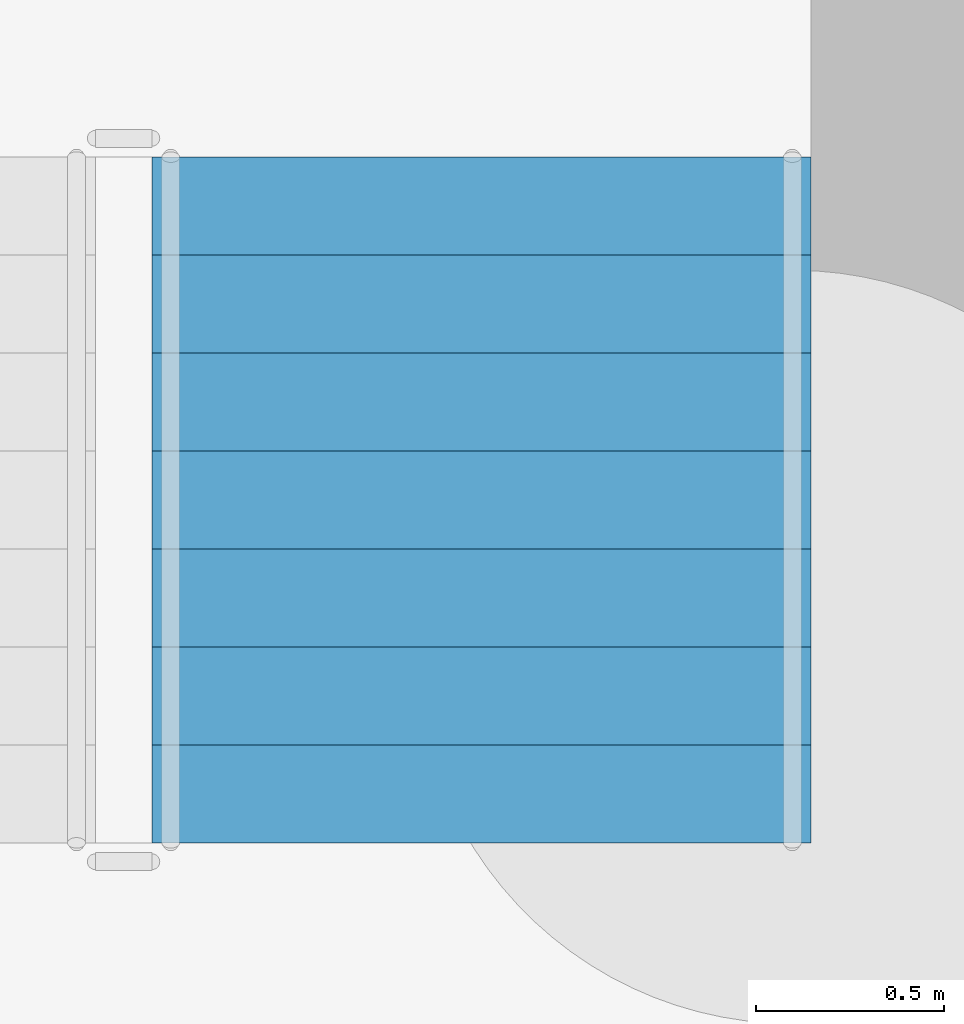
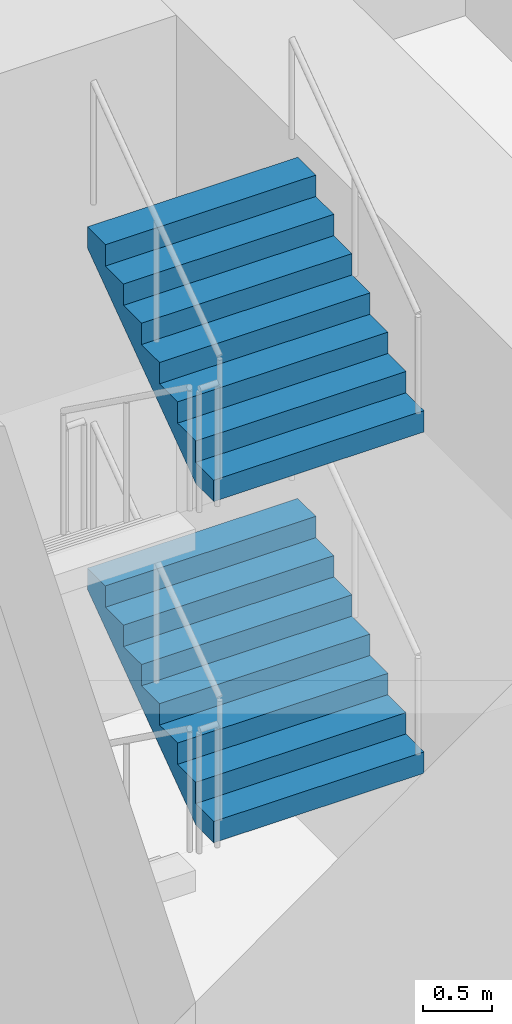
# One storey, part 52 of 75: 2 stair flights, 1 element without a shape of its own.
"""IFC4 building model written with IfcOpenShell, lengths in metres."""

from ifc_helpers import new_model, si_unit, direction, frame, origin, place, context, subcontext, project, spatial, faceted_brep, material, type_object, element, aggregate, save


model = new_model("IFC4")

# Units and contexts
model_context = context("Model", 3, precision=1e-05, world=origin(), true_north=direction((0.0, 1.0)))
body_context = subcontext(model_context, "Body", "Model", "MODEL_VIEW")
ifc_project = project(units=[si_unit("LENGTHUNIT", "METRE"), si_unit("AREAUNIT", "SQUARE_METRE"), si_unit("VOLUMEUNIT", "CUBIC_METRE"), si_unit("PLANEANGLEUNIT", "RADIAN"), si_unit("MASSUNIT", "GRAM", prefix="KILO")], contexts=[model_context])

# Site, building, storey
site_placement = place(None, origin())
site = spatial("IfcSite", under=ifc_project, at=site_placement, CompositionType="ELEMENT")
building_placement = place(site_placement, origin())
building = spatial("IfcBuilding", under=site, at=building_placement, Name="Ipe Terrace Towers", CompositionType="ELEMENT")
storey_placement = place(building_placement, origin())
storey = spatial("IfcBuildingStorey", under=building, at=storey_placement, Name="L00", CompositionType="ELEMENT", Elevation=0.0)

# Stair, stair flights
ifc_material_1 = material(Name="Concrete C30/37", Category="concrete")
stair_type = type_object("IfcStairType", Name="Protected exit stair", PredefinedType="HALF_TURN_STAIR", material=ifc_material_1)
stair_placement = place(storey_placement, origin())
stair = element("IfcStair", 1, at=stair_placement, inside=storey, type_object=stair_type, Name="L00 Exit stair T2-C2", PredefinedType="HALF_TURN_STAIR")
ifc_material_2 = material(Name="Concrete C30/37", Category="concrete")
stair_flight_type = type_object("IfcStairFlightType", Name="Exit stair flight 1750", PredefinedType="STRAIGHT", material=ifc_material_2)
stair_flight_1_placement = place(storey_placement, frame((40.675048828125, -11.52001953125, 1.5), z_axis=(0.0, 0.0, 1.0), x_axis=(0.0, 1.0, 0.0)))
stair_flight_1 = element("IfcStairFlight", 2, at=stair_flight_1_placement, type_object=stair_flight_type, Name="T2-ST2 flight 2", NumberOfRisers=8, NumberOfTreads=7, PredefinedType="STRAIGHT", RiserHeight=0.1875, TreadLength=0.26, context=body_context, shape_type="Brep", body=[
    faceted_brep([(0.25634765625, -0.875, 0.0), (1.820068359375, -0.875, 1.127685546875), (1.820068359375, -0.875, 1.3125), (1.56005859375, -0.875, 1.3125), (1.56005859375, -0.875, 1.125), (1.300048828125, -0.875, 1.125), (1.300048828125, -0.875, 0.9375), (1.0400390625, -0.875, 0.9375), (1.0400390625, -0.875, 0.75), (0.780029296875, -0.875, 0.75), (0.780029296875, -0.875, 0.5625), (0.52001953125, -0.875, 0.5625), (0.52001953125, -0.875, 0.375), (0.260009765625, -0.875, 0.375), (0.260009765625, -0.875, 0.1875), (0.0, -0.875, 0.1875), (0.0, -0.875, 0.0), (0.0, 0.875, 0.0), (0.0, 0.875, 0.1875), (0.260009765625, 0.875, 0.1875), (0.260009765625, 0.875, 0.375), (0.52001953125, 0.875, 0.375), (0.52001953125, 0.875, 0.5625), (0.780029296875, 0.875, 0.5625), (0.780029296875, 0.875, 0.75), (1.0400390625, 0.875, 0.75), (1.0400390625, 0.875, 0.9375), (1.300048828125, 0.875, 0.9375), (1.300048828125, 0.875, 1.125), (1.56005859375, 0.875, 1.125), (1.56005859375, 0.875, 1.3125), (1.820068359375, 0.875, 1.3125), (1.820068359375, 0.875, 1.127685546875), (0.25634765625, 0.875, 0.0), (0.0, -0.300048828125, 0.1875), (0.0, -0.1201171875, 0.1875), (0.0, -0.06005859375, 0.1875), (0.0, -0.030029296875, 0.1875), (0.0, -0.010009765625, 0.1875), (0.0, 0.0, 0.1875), (0.0, 0.010009765625, 0.1875), (0.0, 0.030029296875, 0.1875), (0.0, 0.06005859375, 0.1875), (0.0, 0.1201171875, 0.1875), (0.0, 0.300048828125, 0.1875), (0.0, 0.300048828125, 0.0), (0.0, 0.1201171875, 0.0), (0.0, 0.06005859375, 0.0), (0.0, 0.030029296875, 0.0), (0.0, 0.010009765625, 0.0), (0.0, 0.0, 0.0), (0.0, -0.010009765625, 0.0), (0.0, -0.030029296875, 0.0), (0.0, -0.06005859375, 0.0), (0.0, -0.1201171875, 0.0), (0.0, -0.300048828125, 0.0), (0.260009765625, -0.300048828125, 0.1875), (0.260009765625, -0.1201171875, 0.1875), (0.260009765625, -0.06005859375, 0.1875), (0.260009765625, -0.030029296875, 0.1875), (0.260009765625, -0.010009765625, 0.1875), (0.260009765625, 0.0, 0.1875), (0.260009765625, 0.010009765625, 0.1875), (0.260009765625, 0.030029296875, 0.1875), (0.260009765625, 0.06005859375, 0.1875), (0.260009765625, 0.1201171875, 0.1875), (0.260009765625, 0.300048828125, 0.1875), (0.260009765625, -0.300048828125, 0.375), (0.260009765625, -0.1201171875, 0.375), (0.260009765625, -0.06005859375, 0.375), (0.260009765625, -0.030029296875, 0.375), (0.260009765625, -0.010009765625, 0.375), (0.260009765625, 0.0, 0.375), (0.260009765625, 0.010009765625, 0.375), (0.260009765625, 0.030029296875, 0.375), (0.260009765625, 0.06005859375, 0.375), (0.260009765625, 0.1201171875, 0.375), (0.260009765625, 0.300048828125, 0.375), (0.52001953125, -0.300048828125, 0.375), (0.52001953125, -0.1201171875, 0.375), (0.52001953125, -0.06005859375, 0.375), (0.52001953125, -0.030029296875, 0.375), (0.52001953125, -0.010009765625, 0.375), (0.52001953125, 0.0, 0.375), (0.52001953125, 0.010009765625, 0.375), (0.52001953125, 0.030029296875, 0.375), (0.52001953125, 0.06005859375, 0.375), (0.52001953125, 0.1201171875, 0.375), (0.52001953125, 0.300048828125, 0.375), (0.52001953125, -0.300048828125, 0.5625), (0.52001953125, -0.1201171875, 0.5625), (0.52001953125, -0.06005859375, 0.5625), (0.52001953125, -0.030029296875, 0.5625), (0.52001953125, -0.010009765625, 0.5625), (0.52001953125, 0.0, 0.5625), (0.52001953125, 0.010009765625, 0.5625), (0.52001953125, 0.030029296875, 0.5625), (0.52001953125, 0.06005859375, 0.5625), (0.52001953125, 0.1201171875, 0.5625), (0.52001953125, 0.300048828125, 0.5625), (0.780029296875, -0.300048828125, 0.5625), (0.780029296875, -0.1201171875, 0.5625), (0.780029296875, -0.06005859375, 0.5625), (0.780029296875, -0.030029296875, 0.5625), (0.780029296875, -0.010009765625, 0.5625), (0.780029296875, 0.0, 0.5625), (0.780029296875, 0.010009765625, 0.5625), (0.780029296875, 0.030029296875, 0.5625), (0.780029296875, 0.06005859375, 0.5625), (0.780029296875, 0.1201171875, 0.5625), (0.780029296875, 0.300048828125, 0.5625), (0.780029296875, -0.300048828125, 0.75), (0.780029296875, -0.1201171875, 0.75), (0.780029296875, -0.06005859375, 0.75), (0.780029296875, -0.030029296875, 0.75), (0.780029296875, -0.010009765625, 0.75), (0.780029296875, 0.0, 0.75), (0.780029296875, 0.010009765625, 0.75), (0.780029296875, 0.030029296875, 0.75), (0.780029296875, 0.06005859375, 0.75), (0.780029296875, 0.1201171875, 0.75), (0.780029296875, 0.300048828125, 0.75), (1.0400390625, -0.300048828125, 0.75), (1.0400390625, -0.1201171875, 0.75), (1.0400390625, -0.06005859375, 0.75), (1.0400390625, -0.030029296875, 0.75), (1.0400390625, -0.010009765625, 0.75), (1.0400390625, 0.0, 0.75), (1.0400390625, 0.010009765625, 0.75), (1.0400390625, 0.030029296875, 0.75), (1.0400390625, 0.06005859375, 0.75), (1.0400390625, 0.1201171875, 0.75), (1.0400390625, 0.300048828125, 0.75), (1.0400390625, -0.300048828125, 0.9375), (1.0400390625, -0.1201171875, 0.9375), (1.0400390625, -0.06005859375, 0.9375), (1.0400390625, -0.030029296875, 0.9375), (1.0400390625, -0.010009765625, 0.9375), (1.0400390625, 0.0, 0.9375), (1.0400390625, 0.010009765625, 0.9375), (1.0400390625, 0.030029296875, 0.9375), (1.0400390625, 0.06005859375, 0.9375), (1.0400390625, 0.1201171875, 0.9375), (1.0400390625, 0.300048828125, 0.9375), (1.300048828125, -0.300048828125, 0.9375), (1.300048828125, -0.1201171875, 0.9375), (1.300048828125, -0.06005859375, 0.9375), (1.300048828125, -0.030029296875, 0.9375), (1.300048828125, -0.010009765625, 0.9375), (1.300048828125, 0.0, 0.9375), (1.300048828125, 0.010009765625, 0.9375), (1.300048828125, 0.030029296875, 0.9375), (1.300048828125, 0.06005859375, 0.9375), (1.300048828125, 0.1201171875, 0.9375), (1.300048828125, 0.300048828125, 0.9375), (1.300048828125, -0.300048828125, 1.125), (1.300048828125, -0.1201171875, 1.125), (1.300048828125, -0.06005859375, 1.125), (1.300048828125, -0.030029296875, 1.125), (1.300048828125, -0.010009765625, 1.125), (1.300048828125, 0.0, 1.125), (1.300048828125, 0.010009765625, 1.125), (1.300048828125, 0.030029296875, 1.125), (1.300048828125, 0.06005859375, 1.125), (1.300048828125, 0.1201171875, 1.125), (1.300048828125, 0.300048828125, 1.125), (1.56005859375, -0.300048828125, 1.125), (1.56005859375, -0.1201171875, 1.125), (1.56005859375, -0.06005859375, 1.125), (1.56005859375, -0.030029296875, 1.125), (1.56005859375, -0.010009765625, 1.125), (1.56005859375, 0.0, 1.125), (1.56005859375, 0.010009765625, 1.125), (1.56005859375, 0.030029296875, 1.125), (1.56005859375, 0.06005859375, 1.125), (1.56005859375, 0.1201171875, 1.125), (1.56005859375, 0.300048828125, 1.125), (1.56005859375, -0.300048828125, 1.3125), (1.56005859375, -0.1201171875, 1.3125), (1.56005859375, -0.06005859375, 1.3125), (1.56005859375, -0.030029296875, 1.3125), (1.56005859375, -0.010009765625, 1.3125), (1.56005859375, 0.0, 1.3125), (1.56005859375, 0.010009765625, 1.3125), (1.56005859375, 0.030029296875, 1.3125), (1.56005859375, 0.06005859375, 1.3125), (1.56005859375, 0.1201171875, 1.3125), (1.56005859375, 0.300048828125, 1.3125), (1.820068359375, -0.300048828125, 1.3125), (1.820068359375, -0.1201171875, 1.3125), (1.820068359375, -0.06005859375, 1.3125), (1.820068359375, -0.030029296875, 1.3125), (1.820068359375, -0.010009765625, 1.3125), (1.820068359375, 0.0, 1.3125), (1.820068359375, 0.010009765625, 1.3125), (1.820068359375, 0.030029296875, 1.3125), (1.820068359375, 0.06005859375, 1.3125), (1.820068359375, 0.1201171875, 1.3125), (1.820068359375, 0.300048828125, 1.3125), (1.820068359375, -0.300048828125, 1.127685546875), (1.820068359375, -0.1201171875, 1.127685546875), (1.820068359375, -0.06005859375, 1.127685546875), (1.820068359375, -0.030029296875, 1.127685546875), (1.820068359375, -0.010009765625, 1.127685546875), (1.820068359375, 0.0, 1.127685546875), (1.820068359375, 0.010009765625, 1.127685546875), (1.820068359375, 0.030029296875, 1.127685546875), (1.820068359375, 0.06005859375, 1.127685546875), (1.820068359375, 0.1201171875, 1.127685546875), (1.820068359375, 0.300048828125, 1.127685546875), (0.25634765625, -0.300048828125, 0.0), (0.25634765625, -0.1201171875, 0.0), (0.25634765625, -0.06005859375, 0.0), (0.25634765625, -0.030029296875, 0.0), (0.25634765625, -0.010009765625, 0.0), (0.25634765625, 0.0, 0.0), (0.25634765625, 0.010009765625, 0.0), (0.25634765625, 0.030029296875, 0.0), (0.25634765625, 0.06005859375, 0.0), (0.25634765625, 0.1201171875, 0.0), (0.25634765625, 0.300048828125, 0.0)], [[[0, 1, 2, 3, 4, 5, 6, 7, 8, 9, 10, 11, 12, 13, 14, 15, 16]], [[17, 18, 19, 20, 21, 22, 23, 24, 25, 26, 27, 28, 29, 30, 31, 32, 33]], [[15, 34, 35, 36, 37, 38, 39, 40, 41, 42, 43, 44, 18, 17, 45, 46, 47, 48, 49, 50, 51, 52, 53, 54, 55, 16]], [[14, 56, 57, 58, 59, 60, 61, 62, 63, 64, 65, 66, 19, 18, 44, 43, 42, 41, 40, 39, 38, 37, 36, 35, 34, 15]], [[13, 67, 68, 69, 70, 71, 72, 73, 74, 75, 76, 77, 20, 19, 66, 65, 64, 63, 62, 61, 60, 59, 58, 57, 56, 14]], [[12, 78, 79, 80, 81, 82, 83, 84, 85, 86, 87, 88, 21, 20, 77, 76, 75, 74, 73, 72, 71, 70, 69, 68, 67, 13]], [[11, 89, 90, 91, 92, 93, 94, 95, 96, 97, 98, 99, 22, 21, 88, 87, 86, 85, 84, 83, 82, 81, 80, 79, 78, 12]], [[10, 100, 101, 102, 103, 104, 105, 106, 107, 108, 109, 110, 23, 22, 99, 98, 97, 96, 95, 94, 93, 92, 91, 90, 89, 11]], [[9, 111, 112, 113, 114, 115, 116, 117, 118, 119, 120, 121, 24, 23, 110, 109, 108, 107, 106, 105, 104, 103, 102, 101, 100, 10]], [[8, 122, 123, 124, 125, 126, 127, 128, 129, 130, 131, 132, 25, 24, 121, 120, 119, 118, 117, 116, 115, 114, 113, 112, 111, 9]], [[7, 133, 134, 135, 136, 137, 138, 139, 140, 141, 142, 143, 26, 25, 132, 131, 130, 129, 128, 127, 126, 125, 124, 123, 122, 8]], [[6, 144, 145, 146, 147, 148, 149, 150, 151, 152, 153, 154, 27, 26, 143, 142, 141, 140, 139, 138, 137, 136, 135, 134, 133, 7]], [[5, 155, 156, 157, 158, 159, 160, 161, 162, 163, 164, 165, 28, 27, 154, 153, 152, 151, 150, 149, 148, 147, 146, 145, 144, 6]], [[4, 166, 167, 168, 169, 170, 171, 172, 173, 174, 175, 176, 29, 28, 165, 164, 163, 162, 161, 160, 159, 158, 157, 156, 155, 5]], [[3, 177, 178, 179, 180, 181, 182, 183, 184, 185, 186, 187, 30, 29, 176, 175, 174, 173, 172, 171, 170, 169, 168, 167, 166, 4]], [[2, 188, 189, 190, 191, 192, 193, 194, 195, 196, 197, 198, 31, 30, 187, 186, 185, 184, 183, 182, 181, 180, 179, 178, 177, 3]], [[1, 199, 200, 201, 202, 203, 204, 205, 206, 207, 208, 209, 32, 31, 198, 197, 196, 195, 194, 193, 192, 191, 190, 189, 188, 2]], [[0, 210, 211, 212, 213, 214, 215, 216, 217, 218, 219, 220, 33, 32, 209, 208, 207, 206, 205, 204, 203, 202, 201, 200, 199, 1]], [[16, 55, 54, 53, 52, 51, 50, 49, 48, 47, 46, 45, 17, 33, 220, 219, 218, 217, 216, 215, 214, 213, 212, 211, 210, 0]]]),
])
stair_flight_2_placement = place(storey_placement, frame((40.675048828125, -11.52001953125, 4.5), z_axis=(0.0, 0.0, 1.0), x_axis=(0.0, 1.0, 0.0)))
stair_flight_2 = element("IfcStairFlight", 3, at=stair_flight_2_placement, type_object=stair_flight_type, Name="T2-ST2 flight 4", NumberOfRisers=8, NumberOfTreads=7, PredefinedType="STRAIGHT", RiserHeight=0.1875, TreadLength=0.26, context=body_context, shape_type="Brep", body=[
    faceted_brep([(0.25634765625, -0.875, 0.0), (1.820068359375, -0.875, 1.127685546875), (1.820068359375, -0.875, 1.3125), (1.56005859375, -0.875, 1.3125), (1.56005859375, -0.875, 1.125), (1.300048828125, -0.875, 1.125), (1.300048828125, -0.875, 0.9375), (1.0400390625, -0.875, 0.9375), (1.0400390625, -0.875, 0.75), (0.780029296875, -0.875, 0.75), (0.780029296875, -0.875, 0.5625), (0.52001953125, -0.875, 0.5625), (0.52001953125, -0.875, 0.375), (0.260009765625, -0.875, 0.375), (0.260009765625, -0.875, 0.1875), (0.0, -0.875, 0.1875), (0.0, -0.875, 0.0), (0.0, 0.875, 0.0), (0.0, 0.875, 0.1875), (0.260009765625, 0.875, 0.1875), (0.260009765625, 0.875, 0.375), (0.52001953125, 0.875, 0.375), (0.52001953125, 0.875, 0.5625), (0.780029296875, 0.875, 0.5625), (0.780029296875, 0.875, 0.75), (1.0400390625, 0.875, 0.75), (1.0400390625, 0.875, 0.9375), (1.300048828125, 0.875, 0.9375), (1.300048828125, 0.875, 1.125), (1.56005859375, 0.875, 1.125), (1.56005859375, 0.875, 1.3125), (1.820068359375, 0.875, 1.3125), (1.820068359375, 0.875, 1.127685546875), (0.25634765625, 0.875, 0.0), (0.0, -0.300048828125, 0.1875), (0.0, -0.1201171875, 0.1875), (0.0, -0.06005859375, 0.1875), (0.0, -0.030029296875, 0.1875), (0.0, -0.010009765625, 0.1875), (0.0, 0.0, 0.1875), (0.0, 0.010009765625, 0.1875), (0.0, 0.030029296875, 0.1875), (0.0, 0.06005859375, 0.1875), (0.0, 0.1201171875, 0.1875), (0.0, 0.300048828125, 0.1875), (0.0, 0.300048828125, 0.0), (0.0, 0.1201171875, 0.0), (0.0, 0.06005859375, 0.0), (0.0, 0.030029296875, 0.0), (0.0, 0.010009765625, 0.0), (0.0, 0.0, 0.0), (0.0, -0.010009765625, 0.0), (0.0, -0.030029296875, 0.0), (0.0, -0.06005859375, 0.0), (0.0, -0.1201171875, 0.0), (0.0, -0.300048828125, 0.0), (0.260009765625, -0.300048828125, 0.1875), (0.260009765625, -0.1201171875, 0.1875), (0.260009765625, -0.06005859375, 0.1875), (0.260009765625, -0.030029296875, 0.1875), (0.260009765625, -0.010009765625, 0.1875), (0.260009765625, 0.0, 0.1875), (0.260009765625, 0.010009765625, 0.1875), (0.260009765625, 0.030029296875, 0.1875), (0.260009765625, 0.06005859375, 0.1875), (0.260009765625, 0.1201171875, 0.1875), (0.260009765625, 0.300048828125, 0.1875), (0.260009765625, -0.300048828125, 0.375), (0.260009765625, -0.1201171875, 0.375), (0.260009765625, -0.06005859375, 0.375), (0.260009765625, -0.030029296875, 0.375), (0.260009765625, -0.010009765625, 0.375), (0.260009765625, 0.0, 0.375), (0.260009765625, 0.010009765625, 0.375), (0.260009765625, 0.030029296875, 0.375), (0.260009765625, 0.06005859375, 0.375), (0.260009765625, 0.1201171875, 0.375), (0.260009765625, 0.300048828125, 0.375), (0.52001953125, -0.300048828125, 0.375), (0.52001953125, -0.1201171875, 0.375), (0.52001953125, -0.06005859375, 0.375), (0.52001953125, -0.030029296875, 0.375), (0.52001953125, -0.010009765625, 0.375), (0.52001953125, 0.0, 0.375), (0.52001953125, 0.010009765625, 0.375), (0.52001953125, 0.030029296875, 0.375), (0.52001953125, 0.06005859375, 0.375), (0.52001953125, 0.1201171875, 0.375), (0.52001953125, 0.300048828125, 0.375), (0.52001953125, -0.300048828125, 0.5625), (0.52001953125, -0.1201171875, 0.5625), (0.52001953125, -0.06005859375, 0.5625), (0.52001953125, -0.030029296875, 0.5625), (0.52001953125, -0.010009765625, 0.5625), (0.52001953125, 0.0, 0.5625), (0.52001953125, 0.010009765625, 0.5625), (0.52001953125, 0.030029296875, 0.5625), (0.52001953125, 0.06005859375, 0.5625), (0.52001953125, 0.1201171875, 0.5625), (0.52001953125, 0.300048828125, 0.5625), (0.780029296875, -0.300048828125, 0.5625), (0.780029296875, -0.1201171875, 0.5625), (0.780029296875, -0.06005859375, 0.5625), (0.780029296875, -0.030029296875, 0.5625), (0.780029296875, -0.010009765625, 0.5625), (0.780029296875, 0.0, 0.5625), (0.780029296875, 0.010009765625, 0.5625), (0.780029296875, 0.030029296875, 0.5625), (0.780029296875, 0.06005859375, 0.5625), (0.780029296875, 0.1201171875, 0.5625), (0.780029296875, 0.300048828125, 0.5625), (0.780029296875, -0.300048828125, 0.75), (0.780029296875, -0.1201171875, 0.75), (0.780029296875, -0.06005859375, 0.75), (0.780029296875, -0.030029296875, 0.75), (0.780029296875, -0.010009765625, 0.75), (0.780029296875, 0.0, 0.75), (0.780029296875, 0.010009765625, 0.75), (0.780029296875, 0.030029296875, 0.75), (0.780029296875, 0.06005859375, 0.75), (0.780029296875, 0.1201171875, 0.75), (0.780029296875, 0.300048828125, 0.75), (1.0400390625, -0.300048828125, 0.75), (1.0400390625, -0.1201171875, 0.75), (1.0400390625, -0.06005859375, 0.75), (1.0400390625, -0.030029296875, 0.75), (1.0400390625, -0.010009765625, 0.75), (1.0400390625, 0.0, 0.75), (1.0400390625, 0.010009765625, 0.75), (1.0400390625, 0.030029296875, 0.75), (1.0400390625, 0.06005859375, 0.75), (1.0400390625, 0.1201171875, 0.75), (1.0400390625, 0.300048828125, 0.75), (1.0400390625, -0.300048828125, 0.9375), (1.0400390625, -0.1201171875, 0.9375), (1.0400390625, -0.06005859375, 0.9375), (1.0400390625, -0.030029296875, 0.9375), (1.0400390625, -0.010009765625, 0.9375), (1.0400390625, 0.0, 0.9375), (1.0400390625, 0.010009765625, 0.9375), (1.0400390625, 0.030029296875, 0.9375), (1.0400390625, 0.06005859375, 0.9375), (1.0400390625, 0.1201171875, 0.9375), (1.0400390625, 0.300048828125, 0.9375), (1.300048828125, -0.300048828125, 0.9375), (1.300048828125, -0.1201171875, 0.9375), (1.300048828125, -0.06005859375, 0.9375), (1.300048828125, -0.030029296875, 0.9375), (1.300048828125, -0.010009765625, 0.9375), (1.300048828125, 0.0, 0.9375), (1.300048828125, 0.010009765625, 0.9375), (1.300048828125, 0.030029296875, 0.9375), (1.300048828125, 0.06005859375, 0.9375), (1.300048828125, 0.1201171875, 0.9375), (1.300048828125, 0.300048828125, 0.9375), (1.300048828125, -0.300048828125, 1.125), (1.300048828125, -0.1201171875, 1.125), (1.300048828125, -0.06005859375, 1.125), (1.300048828125, -0.030029296875, 1.125), (1.300048828125, -0.010009765625, 1.125), (1.300048828125, 0.0, 1.125), (1.300048828125, 0.010009765625, 1.125), (1.300048828125, 0.030029296875, 1.125), (1.300048828125, 0.06005859375, 1.125), (1.300048828125, 0.1201171875, 1.125), (1.300048828125, 0.300048828125, 1.125), (1.56005859375, -0.300048828125, 1.125), (1.56005859375, -0.1201171875, 1.125), (1.56005859375, -0.06005859375, 1.125), (1.56005859375, -0.030029296875, 1.125), (1.56005859375, -0.010009765625, 1.125), (1.56005859375, 0.0, 1.125), (1.56005859375, 0.010009765625, 1.125), (1.56005859375, 0.030029296875, 1.125), (1.56005859375, 0.06005859375, 1.125), (1.56005859375, 0.1201171875, 1.125), (1.56005859375, 0.300048828125, 1.125), (1.56005859375, -0.300048828125, 1.3125), (1.56005859375, -0.1201171875, 1.3125), (1.56005859375, -0.06005859375, 1.3125), (1.56005859375, -0.030029296875, 1.3125), (1.56005859375, -0.010009765625, 1.3125), (1.56005859375, 0.0, 1.3125), (1.56005859375, 0.010009765625, 1.3125), (1.56005859375, 0.030029296875, 1.3125), (1.56005859375, 0.06005859375, 1.3125), (1.56005859375, 0.1201171875, 1.3125), (1.56005859375, 0.300048828125, 1.3125), (1.820068359375, -0.300048828125, 1.3125), (1.820068359375, -0.1201171875, 1.3125), (1.820068359375, -0.06005859375, 1.3125), (1.820068359375, -0.030029296875, 1.3125), (1.820068359375, -0.010009765625, 1.3125), (1.820068359375, 0.0, 1.3125), (1.820068359375, 0.010009765625, 1.3125), (1.820068359375, 0.030029296875, 1.3125), (1.820068359375, 0.06005859375, 1.3125), (1.820068359375, 0.1201171875, 1.3125), (1.820068359375, 0.300048828125, 1.3125), (1.820068359375, -0.300048828125, 1.127685546875), (1.820068359375, -0.1201171875, 1.127685546875), (1.820068359375, -0.06005859375, 1.127685546875), (1.820068359375, -0.030029296875, 1.127685546875), (1.820068359375, -0.010009765625, 1.127685546875), (1.820068359375, 0.0, 1.127685546875), (1.820068359375, 0.010009765625, 1.127685546875), (1.820068359375, 0.030029296875, 1.127685546875), (1.820068359375, 0.06005859375, 1.127685546875), (1.820068359375, 0.1201171875, 1.127685546875), (1.820068359375, 0.300048828125, 1.127685546875), (0.25634765625, -0.300048828125, 0.0), (0.25634765625, -0.1201171875, 0.0), (0.25634765625, -0.06005859375, 0.0), (0.25634765625, -0.030029296875, 0.0), (0.25634765625, -0.010009765625, 0.0), (0.25634765625, 0.0, 0.0), (0.25634765625, 0.010009765625, 0.0), (0.25634765625, 0.030029296875, 0.0), (0.25634765625, 0.06005859375, 0.0), (0.25634765625, 0.1201171875, 0.0), (0.25634765625, 0.300048828125, 0.0)], [[[0, 1, 2, 3, 4, 5, 6, 7, 8, 9, 10, 11, 12, 13, 14, 15, 16]], [[17, 18, 19, 20, 21, 22, 23, 24, 25, 26, 27, 28, 29, 30, 31, 32, 33]], [[15, 34, 35, 36, 37, 38, 39, 40, 41, 42, 43, 44, 18, 17, 45, 46, 47, 48, 49, 50, 51, 52, 53, 54, 55, 16]], [[14, 56, 57, 58, 59, 60, 61, 62, 63, 64, 65, 66, 19, 18, 44, 43, 42, 41, 40, 39, 38, 37, 36, 35, 34, 15]], [[13, 67, 68, 69, 70, 71, 72, 73, 74, 75, 76, 77, 20, 19, 66, 65, 64, 63, 62, 61, 60, 59, 58, 57, 56, 14]], [[12, 78, 79, 80, 81, 82, 83, 84, 85, 86, 87, 88, 21, 20, 77, 76, 75, 74, 73, 72, 71, 70, 69, 68, 67, 13]], [[11, 89, 90, 91, 92, 93, 94, 95, 96, 97, 98, 99, 22, 21, 88, 87, 86, 85, 84, 83, 82, 81, 80, 79, 78, 12]], [[10, 100, 101, 102, 103, 104, 105, 106, 107, 108, 109, 110, 23, 22, 99, 98, 97, 96, 95, 94, 93, 92, 91, 90, 89, 11]], [[9, 111, 112, 113, 114, 115, 116, 117, 118, 119, 120, 121, 24, 23, 110, 109, 108, 107, 106, 105, 104, 103, 102, 101, 100, 10]], [[8, 122, 123, 124, 125, 126, 127, 128, 129, 130, 131, 132, 25, 24, 121, 120, 119, 118, 117, 116, 115, 114, 113, 112, 111, 9]], [[7, 133, 134, 135, 136, 137, 138, 139, 140, 141, 142, 143, 26, 25, 132, 131, 130, 129, 128, 127, 126, 125, 124, 123, 122, 8]], [[6, 144, 145, 146, 147, 148, 149, 150, 151, 152, 153, 154, 27, 26, 143, 142, 141, 140, 139, 138, 137, 136, 135, 134, 133, 7]], [[5, 155, 156, 157, 158, 159, 160, 161, 162, 163, 164, 165, 28, 27, 154, 153, 152, 151, 150, 149, 148, 147, 146, 145, 144, 6]], [[4, 166, 167, 168, 169, 170, 171, 172, 173, 174, 175, 176, 29, 28, 165, 164, 163, 162, 161, 160, 159, 158, 157, 156, 155, 5]], [[3, 177, 178, 179, 180, 181, 182, 183, 184, 185, 186, 187, 30, 29, 176, 175, 174, 173, 172, 171, 170, 169, 168, 167, 166, 4]], [[2, 188, 189, 190, 191, 192, 193, 194, 195, 196, 197, 198, 31, 30, 187, 186, 185, 184, 183, 182, 181, 180, 179, 178, 177, 3]], [[1, 199, 200, 201, 202, 203, 204, 205, 206, 207, 208, 209, 32, 31, 198, 197, 196, 195, 194, 193, 192, 191, 190, 189, 188, 2]], [[0, 210, 211, 212, 213, 214, 215, 216, 217, 218, 219, 220, 33, 32, 209, 208, 207, 206, 205, 204, 203, 202, 201, 200, 199, 1]], [[16, 55, 54, 53, 52, 51, 50, 49, 48, 47, 46, 45, 17, 33, 220, 219, 218, 217, 216, 215, 214, 213, 212, 211, 210, 0]]]),
])
aggregate(stair, [stair_flight_1, stair_flight_2])

save(model, "model.ifc")
